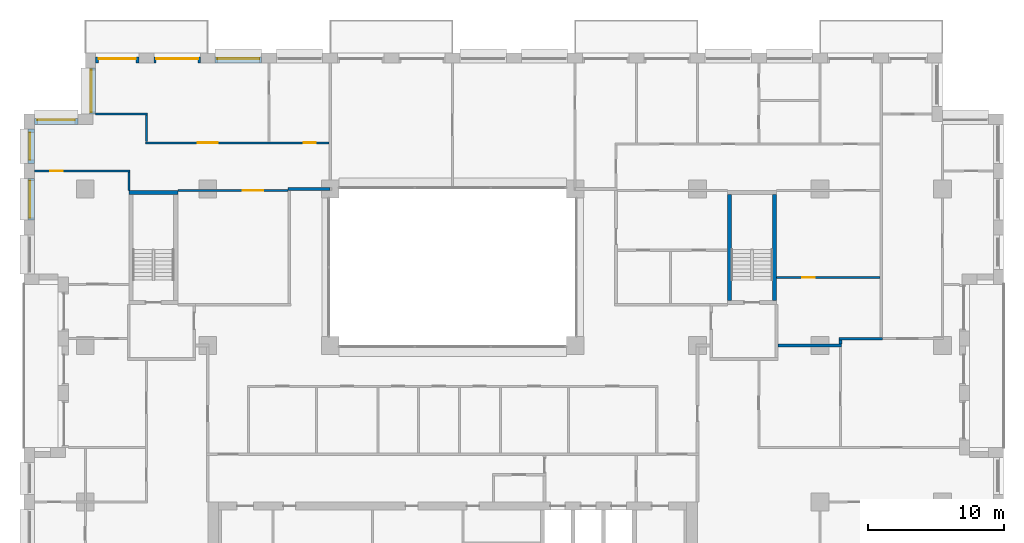
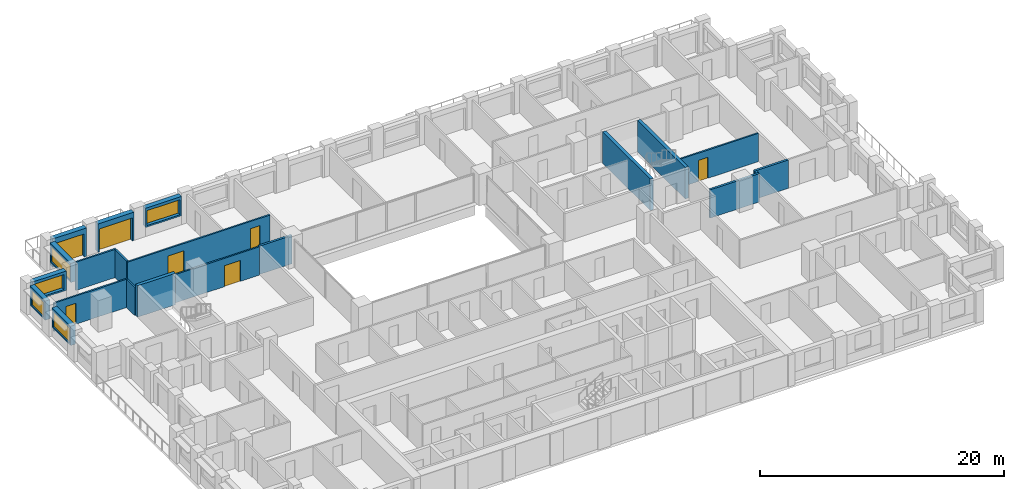
# One storey, part 12 of 16: 21 walls, 7 doors, 5 windows, 12 openings.
"""IFC4 building model written with IfcOpenShell, lengths in metres."""

from ifc_helpers import new_model, si_unit, direction, frame, frame_2d, origin, place, context, subcontext, project, spatial, rectangle, extrude, material, layer, layer_set, type_object, element, fill, save


model = new_model("IFC4")

# Units and contexts
model_context = context("Model", 3, precision=1e-05, world=origin(), true_north=direction((0.0, 1.0)))
body_context = subcontext(model_context, "Body", "Model", "MODEL_VIEW")
ifc_project = project(units=[si_unit("LENGTHUNIT", "METRE"), si_unit("AREAUNIT", "SQUARE_METRE"), si_unit("VOLUMEUNIT", "CUBIC_METRE"), si_unit("PLANEANGLEUNIT", "RADIAN"), si_unit("MASSUNIT", "GRAM", prefix="KILO")], contexts=[model_context])

# Site, building, storey
site_placement = place(None, origin())
site = spatial("IfcSite", under=ifc_project, at=site_placement, CompositionType="ELEMENT")
building_placement = place(site_placement, origin())
building = spatial("IfcBuilding", under=site, at=building_placement, Name="Brigalow Station Residences", CompositionType="ELEMENT")
storey_placement = place(building_placement, frame((0.0, 0.0, 102.449951171875)))
storey = spatial("IfcBuildingStorey", under=building, at=storey_placement, Name="L29", CompositionType="ELEMENT", Elevation=102.449951171875)

# Wall, opening, window
ifc_material_1 = material(Name="Clay brick masonry", Category="masonry")
ifc_layer_1 = layer(ifc_material_1, 0.449951171875)
ifc_layer_set_1 = layer_set([ifc_layer_1], Name="BRICK INFILL WALL 450")
wall_type_1 = type_object("IfcWallType", Name="BRICK INFILL WALL 450", PredefinedType="SOLIDWALL", material=ifc_layer_set_1)
wall_1_placement = place(storey_placement, frame((21.949951171875, 44.97509765625, 0.900146484375), z_axis=(0.0, 0.0, 1.0), x_axis=(-1.0, 0.0, 0.0)))
wall_1 = element("IfcWall", 1, at=wall_1_placement, inside=storey, type_object=wall_type_1, Name="L29/ewall/W-L29-34", PredefinedType="SOLIDWALL", context=body_context, shape_type="SweptSolid", body=[
    extrude(rectangle(XDim=3.39990234375, YDim=0.449951171875, at=frame_2d((1.699951171875, 0.0))), origin(), (0.0, 0.0, 1.0), 1.929931640625),
])
opening_1_placement = place(wall_1_placement, frame((0.14990234375, 0.0, 0.14990234375)))
opening_1 = element("IfcOpeningElement", 2, at=opening_1_placement, cuts=wall_1, Name="Opening WT-8", PredefinedType="OPENING", context=body_context, shape_type="SweptSolid", body=[
    extrude(rectangle(XDim=3.10009765625, YDim=1.5, at=frame_2d((1.550048828125, 0.75))), frame((0.0, 0.23486328125, 0.0), z_axis=(0.0, -1.0, 0.0), x_axis=(1.0, 0.0, 0.0)), (0.0, 0.0, 1.0), 0.469970703125),
])
ifc_material_2 = material(Name="Anodised aluminium frame with double glazing", Category="aluminium")
window_type_1 = type_object("IfcWindowType", Name="WINDOW 3100x1500", PartitioningType="SINGLE_PANEL", PredefinedType="WINDOW", material=ifc_material_2)
window_1_placement = place(opening_1_placement, origin())
window_1 = element("IfcWindow", 3, at=window_1_placement, inside=storey, type_object=window_type_1, Name="L29/window/W-L29-34", OverallHeight=1.5, OverallWidth=3.10009765625, PartitioningType="SINGLE_PANEL", PredefinedType="WINDOW", context=body_context, shape_type="SweptSolid", body=[
    extrude(rectangle(XDim=3.10009765625, YDim=1.5, at=frame_2d((1.550048828125, 0.75))), frame((0.0, -0.06494140625, 0.0), z_axis=(0.0, -1.0, 0.0), x_axis=(1.0, 0.0, 0.0)), (0.0, 0.0, 1.0), 0.06005859375),
])
fill(opening_1, window_1)

# Wall, opening, door
wall_2_placement = place(storey_placement, frame((17.449951171875, 44.97509765625, 0.0), z_axis=(0.0, 0.0, 1.0), x_axis=(-1.0, 0.0, 0.0)))
wall_2 = element("IfcWall", 4, at=wall_2_placement, inside=storey, type_object=wall_type_1, Name="L29/ewall/W-L29-35", PredefinedType="SOLIDWALL", context=body_context, shape_type="SweptSolid", body=[
    extrude(rectangle(XDim=3.39990234375, YDim=0.449951171875, at=frame_2d((1.699951171875, 0.0))), origin(), (0.0, 0.0, 1.0), 2.830078125),
])
opening_2_placement = place(wall_2_placement, frame((0.14990234375, 0.0, 0.0)))
opening_2 = element("IfcOpeningElement", 5, at=opening_2_placement, cuts=wall_2, Name="Opening D-B3100", PredefinedType="OPENING", context=body_context, shape_type="SweptSolid", body=[
    extrude(rectangle(XDim=3.10009765625, YDim=2.300048828125, at=frame_2d((1.550048828125, 1.14990234375))), frame((0.0, 0.23486328125, 0.0), z_axis=(0.0, -1.0, 0.0), x_axis=(1.0, 0.0, 0.0)), (0.0, 0.0, 1.0), 0.469970703125),
])
ifc_material_3 = material(Name="Anodised aluminium frame with double glazing", Category="aluminium")
door_type_1 = type_object("IfcDoorType", Name="BALCONY SLIDING DOOR 3100x2300", OperationType="SLIDING_TO_LEFT", PredefinedType="DOOR", material=ifc_material_3)
door_1_placement = place(opening_2_placement, origin())
door_1 = element("IfcDoor", 6, at=door_1_placement, inside=storey, type_object=door_type_1, Name="L29/balcony-door/W-L29-35", OperationType="SLIDING_TO_LEFT", OverallHeight=2.300048828125, OverallWidth=3.10009765625, PredefinedType="DOOR", context=body_context, shape_type="SweptSolid", body=[
    extrude(rectangle(XDim=3.10009765625, YDim=2.300048828125, at=frame_2d((1.550048828125, 1.14990234375))), frame((0.0, -0.06982421875, 0.0), z_axis=(0.0, -1.0, 0.0), x_axis=(1.0, 0.0, 0.0)), (0.0, 0.0, 1.0), 0.050048828125),
])
fill(opening_2, door_1)

wall_3_placement = place(storey_placement, frame((12.949951171875, 44.97509765625, 0.0), z_axis=(0.0, 0.0, 1.0), x_axis=(-1.0, 0.0, 0.0)))
wall_3 = element("IfcWall", 7, at=wall_3_placement, inside=storey, type_object=wall_type_1, Name="L29/ewall/W-L29-36", PredefinedType="SOLIDWALL", context=body_context, shape_type="SweptSolid", body=[
    extrude(rectangle(XDim=3.199951171875, YDim=0.449951171875, at=frame_2d((1.60009765625, 0.0))), origin(), (0.0, 0.0, 1.0), 2.830078125),
])
opening_3_placement = place(wall_3_placement, frame((0.22509765625, 0.0, 0.0)))
opening_3 = element("IfcOpeningElement", 8, at=opening_3_placement, cuts=wall_3, Name="Opening D-B2750", PredefinedType="OPENING", context=body_context, shape_type="SweptSolid", body=[
    extrude(rectangle(XDim=2.75, YDim=2.300048828125, at=frame_2d((1.375, 1.14990234375))), frame((0.0, 0.23486328125, 0.0), z_axis=(0.0, -1.0, 0.0), x_axis=(1.0, 0.0, 0.0)), (0.0, 0.0, 1.0), 0.469970703125),
])
ifc_material_4 = material(Name="Anodised aluminium frame with double glazing", Category="aluminium")
door_type_2 = type_object("IfcDoorType", Name="BALCONY SLIDING DOOR 2750x2300", OperationType="SLIDING_TO_LEFT", PredefinedType="DOOR", material=ifc_material_4)
door_2_placement = place(opening_3_placement, origin())
door_2 = element("IfcDoor", 9, at=door_2_placement, inside=storey, type_object=door_type_2, Name="L29/balcony-door/W-L29-36", OperationType="SLIDING_TO_LEFT", OverallHeight=2.300048828125, OverallWidth=2.75, PredefinedType="DOOR", context=body_context, shape_type="SweptSolid", body=[
    extrude(rectangle(XDim=2.75, YDim=2.300048828125, at=frame_2d((1.375, 1.14990234375))), frame((0.0, -0.06982421875, 0.0), z_axis=(0.0, -1.0, 0.0), x_axis=(1.0, 0.0, 0.0)), (0.0, 0.0, 1.0), 0.050048828125),
])
fill(opening_3, door_2)

# Wall, opening, window
wall_4_placement = place(storey_placement, frame((9.52490234375, 44.39990234375, 0.900146484375), z_axis=(0.0, 0.0, 1.0), x_axis=(0.0, -1.0, 0.0)))
wall_4 = element("IfcWall", 10, at=wall_4_placement, inside=storey, type_object=wall_type_1, Name="L29/ewall/W-L29-37", PredefinedType="SOLIDWALL", context=body_context, shape_type="SweptSolid", body=[
    extrude(rectangle(XDim=3.39990234375, YDim=0.449951171875, at=frame_2d((1.699951171875, 0.0))), origin(), (0.0, 0.0, 1.0), 1.929931640625),
])
opening_4_placement = place(wall_4_placement, frame((0.14990234375, 0.0, 0.14990234375)))
opening_4 = element("IfcOpeningElement", 11, at=opening_4_placement, cuts=wall_4, Name="Opening WT-8", PredefinedType="OPENING", context=body_context, shape_type="SweptSolid", body=[
    extrude(rectangle(XDim=3.10009765625, YDim=1.5, at=frame_2d((1.550048828125, 0.75))), frame((0.0, 0.23486328125, 0.0), z_axis=(0.0, -1.0, 0.0), x_axis=(1.0, 0.0, 0.0)), (0.0, 0.0, 1.0), 0.469970703125),
])
window_2_placement = place(opening_4_placement, origin())
window_2 = element("IfcWindow", 12, at=window_2_placement, inside=storey, type_object=window_type_1, Name="L29/window/W-L29-37", OverallHeight=1.5, OverallWidth=3.10009765625, PartitioningType="SINGLE_PANEL", PredefinedType="WINDOW", context=body_context, shape_type="SweptSolid", body=[
    extrude(rectangle(XDim=3.10009765625, YDim=1.5, at=frame_2d((1.550048828125, 0.75))), frame((0.0, -0.06494140625, 0.0), z_axis=(0.0, -1.0, 0.0), x_axis=(1.0, 0.0, 0.0)), (0.0, 0.0, 1.0), 0.06005859375),
])
fill(opening_4, window_2)

wall_5_placement = place(storey_placement, frame((8.449951171875, 40.47509765625, 0.900146484375), z_axis=(0.0, 0.0, 1.0), x_axis=(-1.0, 0.0, 0.0)))
wall_5 = element("IfcWall", 13, at=wall_5_placement, inside=storey, type_object=wall_type_1, Name="L29/ewall/W-L29-38", PredefinedType="SOLIDWALL", context=body_context, shape_type="SweptSolid", body=[
    extrude(rectangle(XDim=3.199951171875, YDim=0.449951171875, at=frame_2d((1.60009765625, 0.0))), origin(), (0.0, 0.0, 1.0), 1.929931640625),
])
opening_5_placement = place(wall_5_placement, frame((0.22509765625, 0.0, 0.14990234375)))
opening_5 = element("IfcOpeningElement", 14, at=opening_5_placement, cuts=wall_5, Name="Opening WT-3", PredefinedType="OPENING", context=body_context, shape_type="SweptSolid", body=[
    extrude(rectangle(XDim=2.75, YDim=1.5, at=frame_2d((1.375, 0.75))), frame((0.0, 0.23486328125, 0.0), z_axis=(0.0, -1.0, 0.0), x_axis=(1.0, 0.0, 0.0)), (0.0, 0.0, 1.0), 0.469970703125),
])
ifc_material_5 = material(Name="Anodised aluminium frame with double glazing", Category="aluminium")
window_type_2 = type_object("IfcWindowType", Name="WINDOW 2750x1500", PartitioningType="SINGLE_PANEL", PredefinedType="WINDOW", material=ifc_material_5)
window_3_placement = place(opening_5_placement, origin())
window_3 = element("IfcWindow", 15, at=window_3_placement, inside=storey, type_object=window_type_2, Name="L29/window/W-L29-38", OverallHeight=1.5, OverallWidth=2.75, PartitioningType="SINGLE_PANEL", PredefinedType="WINDOW", context=body_context, shape_type="SweptSolid", body=[
    extrude(rectangle(XDim=2.75, YDim=1.5, at=frame_2d((1.375, 0.75))), frame((0.0, -0.06494140625, 0.0), z_axis=(0.0, -1.0, 0.0), x_axis=(1.0, 0.0, 0.0)), (0.0, 0.0, 1.0), 0.06005859375),
])
fill(opening_5, window_3)

wall_6_placement = place(storey_placement, frame((5.02490234375, 39.89990234375, 0.900146484375), z_axis=(0.0, 0.0, 1.0), x_axis=(0.0, -1.0, 0.0)))
wall_6 = element("IfcWall", 16, at=wall_6_placement, inside=storey, type_object=wall_type_1, Name="L29/ewall/W-L29-39", PredefinedType="SOLIDWALL", context=body_context, shape_type="SweptSolid", body=[
    extrude(rectangle(XDim=2.516845703125, YDim=0.449951171875, at=frame_2d((1.25830078125, 0.0))), origin(), (0.0, 0.0, 1.0), 1.929931640625),
])
opening_6_placement = place(wall_6_placement, frame((0.258544921875, 0.0, 0.14990234375)))
opening_6 = element("IfcOpeningElement", 17, at=opening_6_placement, cuts=wall_6, Name="Opening WT-7", PredefinedType="OPENING", context=body_context, shape_type="SweptSolid", body=[
    extrude(rectangle(XDim=2.0, YDim=1.5, at=frame_2d((1.0, 0.75))), frame((0.0, 0.23486328125, 0.0), z_axis=(0.0, -1.0, 0.0), x_axis=(1.0, 0.0, 0.0)), (0.0, 0.0, 1.0), 0.469970703125),
])
ifc_material_6 = material(Name="Anodised aluminium frame with double glazing", Category="aluminium")
window_type_3 = type_object("IfcWindowType", Name="WINDOW 2000x1500", PartitioningType="SINGLE_PANEL", PredefinedType="WINDOW", material=ifc_material_6)
window_4_placement = place(opening_6_placement, origin())
window_4 = element("IfcWindow", 18, at=window_4_placement, inside=storey, type_object=window_type_3, Name="L29/window/W-L29-39", OverallHeight=1.5, OverallWidth=2.0, PartitioningType="SINGLE_PANEL", PredefinedType="WINDOW", context=body_context, shape_type="SweptSolid", body=[
    extrude(rectangle(XDim=2.0, YDim=1.5, at=frame_2d((1.0, 0.75))), frame((0.0, -0.06494140625, 0.0), z_axis=(0.0, -1.0, 0.0), x_axis=(1.0, 0.0, 0.0)), (0.0, 0.0, 1.0), 0.06005859375),
])
fill(opening_6, window_4)

wall_7_placement = place(storey_placement, frame((5.02490234375, 36.282958984375, 0.900146484375), z_axis=(0.0, 0.0, 1.0), x_axis=(0.0, -1.0, 0.0)))
wall_7 = element("IfcWall", 19, at=wall_7_placement, inside=storey, type_object=wall_type_1, Name="L29/ewall/W-L29-40", PredefinedType="SOLIDWALL", context=body_context, shape_type="SweptSolid", body=[
    extrude(rectangle(XDim=3.06591796875, YDim=0.449951171875, at=frame_2d((1.532958984375, 0.0))), origin(), (0.0, 0.0, 1.0), 1.929931640625),
])
opening_7_placement = place(wall_7_placement, frame((0.157958984375, 0.0, 0.14990234375)))
opening_7 = element("IfcOpeningElement", 20, at=opening_7_placement, cuts=wall_7, Name="Opening WT-3", PredefinedType="OPENING", context=body_context, shape_type="SweptSolid", body=[
    extrude(rectangle(XDim=2.75, YDim=1.5, at=frame_2d((1.375, 0.75))), frame((0.0, 0.23486328125, 0.0), z_axis=(0.0, -1.0, 0.0), x_axis=(1.0, 0.0, 0.0)), (0.0, 0.0, 1.0), 0.469970703125),
])
window_5_placement = place(opening_7_placement, origin())
window_5 = element("IfcWindow", 21, at=window_5_placement, inside=storey, type_object=window_type_2, Name="L29/window/W-L29-40", OverallHeight=1.5, OverallWidth=2.75, PartitioningType="SINGLE_PANEL", PredefinedType="WINDOW", context=body_context, shape_type="SweptSolid", body=[
    extrude(rectangle(XDim=2.75, YDim=1.5, at=frame_2d((1.375, 0.75))), frame((0.0, -0.06494140625, 0.0), z_axis=(0.0, -1.0, 0.0), x_axis=(1.0, 0.0, 0.0)), (0.0, 0.0, 1.0), 0.06005859375),
])
fill(opening_7, window_5)

# Walls
ifc_material_7 = material(Name="Concrete C65", Category="concrete")
ifc_layer_2 = layer(ifc_material_7, 0.300048828125)
ifc_layer_set_2 = layer_set([ifc_layer_2], Name="CORE SHEAR WALL 300 C65")
wall_type_2 = type_object("IfcWallType", Name="CORE SHEAR WALL 300 C65", PredefinedType="SHEAR", material=ifc_layer_set_2)
wall_8_placement = place(storey_placement, frame((12.199951171875, 35.25, 0.0), z_axis=(0.0, 0.0, 1.0), x_axis=(1.0, 0.0, 0.0)))
element("IfcWall", 22, at=wall_8_placement, inside=storey, type_object=wall_type_2, Name="CORE WALL ST-S1-N L29", PredefinedType="SHEAR", context=body_context, shape_type="SweptSolid", body=[
    extrude(rectangle(XDim=3.60009765625, YDim=0.300048828125, at=frame_2d((1.800048828125, 0.0))), origin(), (0.0, 0.0, 1.0), 3.150146484375),
])
for number, where, z_axis, x_axis, name in (
    (23, (56.35009765625, 27.300048828125, 0.0), (0.0, 0.0, 1.0), (0.0, 1.0, 0.0), "CORE WALL ST-S3-W L29"),
    (24, (59.64990234375, 27.300048828125, 0.0), (0.0, 0.0, 1.0), (0.0, 1.0, 0.0), "CORE WALL ST-S3-E L29"),
):
    element("IfcWall", number, at=place(storey_placement, frame(where, z_axis=z_axis, x_axis=x_axis)), inside=storey, type_object=wall_type_2, Name=name, PredefinedType="SHEAR", context=body_context, shape_type="SweptSolid", body=[
        extrude(rectangle(XDim=7.800048828125, YDim=0.300048828125, at=frame_2d((3.89990234375, 0.0))), origin(), (0.0, 0.0, 1.0), 3.150146484375),
    ])

# Wall, opening, door
ifc_material_8 = material(Name="Plasterboard on steel stud partition", Category="steel")
ifc_layer_3 = layer(ifc_material_8, 0.14990234375)
ifc_layer_set_3 = layer_set([ifc_layer_3], Name="FLAT PARTITION 150")
wall_type_3 = type_object("IfcWallType", Name="FLAT PARTITION 150", PredefinedType="PARTITIONING", material=ifc_layer_set_3)
wall_9_placement = place(storey_placement, frame((5.25, 36.8330078125, 0.0), z_axis=(0.0, 0.0, 1.0), x_axis=(1.0, 0.0, 0.0)))
wall_9 = element("IfcWall", 25, at=wall_9_placement, inside=storey, type_object=wall_type_3, Name="PW-2C22", PredefinedType="PARTITIONING", context=body_context, shape_type="SweptSolid", body=[
    extrude(rectangle(XDim=7.02490234375, YDim=0.14990234375, at=frame_2d((3.512451171875, 0.0))), origin(), (0.0, 0.0, 1.0), 2.830078125),
])
opening_8_placement = place(wall_9_placement, frame((1.175048828125, 0.0, 0.0)))
opening_8 = element("IfcOpeningElement", 26, at=opening_8_placement, cuts=wall_9, Name="Opening D-2C12", PredefinedType="OPENING", context=body_context, shape_type="SweptSolid", body=[
    extrude(rectangle(XDim=0.89990234375, YDim=2.10009765625, at=frame_2d((0.449951171875, 1.050048828125))), frame((0.0, 0.0849609375, 0.0), z_axis=(0.0, -1.0, 0.0), x_axis=(1.0, 0.0, 0.0)), (0.0, 0.0, 1.0), 0.169921875),
])
ifc_material_9 = material(Name="Solid-core timber door leaf", Category="wood")
door_type_3 = type_object("IfcDoorType", Name="INTERNAL DOOR 900 x 2100", OperationType="SINGLE_SWING_LEFT", PredefinedType="DOOR", material=ifc_material_9)
door_3_placement = place(opening_8_placement, frame((0.89990234375, 0.0, 0.0), z_axis=(0.0, 0.0, 1.0), x_axis=(-1.0, 0.0, 0.0)))
door_3 = element("IfcDoor", 27, at=door_3_placement, inside=storey, type_object=door_type_3, Name="D-2C12", OperationType="SINGLE_SWING_RIGHT", OverallHeight=2.10009765625, OverallWidth=0.89990234375, PredefinedType="DOOR", context=body_context, shape_type="SweptSolid", body=[
    extrude(rectangle(XDim=0.89990234375, YDim=2.10009765625, at=frame_2d((0.449951171875, 1.050048828125))), frame((0.0, 0.02490234375, 0.0), z_axis=(0.0, -1.0, 0.0), x_axis=(1.0, 0.0, 0.0)), (0.0, 0.0, 1.0), 0.050048828125),
])
fill(opening_8, door_3)

# Wall, openings, doors
wall_10_placement = place(storey_placement, frame((13.425048828125, 38.89990234375, 0.0), z_axis=(0.0, 0.0, 1.0), x_axis=(1.0, 0.0, 0.0)))
wall_10 = element("IfcWall", 28, at=wall_10_placement, inside=storey, type_object=wall_type_3, Name="PW-2C24", PredefinedType="PARTITIONING", context=body_context, shape_type="SweptSolid", body=[
    extrude(rectangle(XDim=13.474853515625, YDim=0.14990234375, at=frame_2d((6.7373046875, 0.0))), origin(), (0.0, 0.0, 1.0), 2.830078125),
])
opening_9_placement = place(wall_10_placement, frame((3.824951171875, 0.0, 0.0)))
opening_9 = element("IfcOpeningElement", 29, at=opening_9_placement, cuts=wall_10, Name="Opening D-2C13", PredefinedType="OPENING", context=body_context, shape_type="SweptSolid", body=[
    extrude(rectangle(XDim=1.5, YDim=2.10009765625, at=frame_2d((0.75, 1.050048828125))), frame((0.0, 0.0849609375, 0.0), z_axis=(0.0, -1.0, 0.0), x_axis=(1.0, 0.0, 0.0)), (0.0, 0.0, 1.0), 0.169921875),
])
opening_10_placement = place(wall_10_placement, frame((11.625, 0.0, 0.0)))
opening_10 = element("IfcOpeningElement", 30, at=opening_10_placement, cuts=wall_10, Name="Opening D-2C15", PredefinedType="OPENING", context=body_context, shape_type="SweptSolid", body=[
    extrude(rectangle(XDim=0.89990234375, YDim=2.10009765625, at=frame_2d((0.449951171875, 1.050048828125))), frame((0.0, 0.0849609375, 0.0), z_axis=(0.0, -1.0, 0.0), x_axis=(1.0, 0.0, 0.0)), (0.0, 0.0, 1.0), 0.169921875),
])
door_4_placement = place(opening_10_placement, origin())
door_4 = element("IfcDoor", 31, at=door_4_placement, inside=storey, type_object=door_type_3, Name="D-2C15", OperationType="SINGLE_SWING_RIGHT", OverallHeight=2.10009765625, OverallWidth=0.89990234375, PredefinedType="DOOR", context=body_context, shape_type="SweptSolid", body=[
    extrude(rectangle(XDim=0.89990234375, YDim=2.10009765625, at=frame_2d((0.449951171875, 1.050048828125))), frame((0.0, 0.02490234375, 0.0), z_axis=(0.0, -1.0, 0.0), x_axis=(1.0, 0.0, 0.0)), (0.0, 0.0, 1.0), 0.050048828125),
])
fill(opening_10, door_4)
ifc_material_10 = material(Name="Solid-core timber door leaf", Category="wood")
door_type_4 = type_object("IfcDoorType", Name="INTERNAL DOUBLE DOOR 1500 x 2100", OperationType="DOUBLE_DOOR_SINGLE_SWING", PredefinedType="DOOR", material=ifc_material_10)
door_5_placement = place(opening_9_placement, origin())
door_5 = element("IfcDoor", 32, at=door_5_placement, inside=storey, type_object=door_type_4, Name="D-2C13", OperationType="DOUBLE_DOOR_SINGLE_SWING", OverallHeight=2.10009765625, OverallWidth=1.5, PredefinedType="DOOR", context=body_context, shape_type="SweptSolid", body=[
    extrude(rectangle(XDim=1.5, YDim=2.10009765625, at=frame_2d((0.75, 1.050048828125))), frame((0.0, 0.02490234375, 0.0), z_axis=(0.0, -1.0, 0.0), x_axis=(1.0, 0.0, 0.0)), (0.0, 0.0, 1.0), 0.050048828125),
])
fill(opening_9, door_5)

# Wall, opening, door
wall_11_placement = place(storey_placement, frame((15.800048828125, 35.39990234375, 0.0), z_axis=(0.0, 0.0, 1.0), x_axis=(1.0, 0.0, 0.0)))
wall_11 = element("IfcWall", 33, at=wall_11_placement, inside=storey, type_object=wall_type_3, Name="PW-2C25", PredefinedType="PARTITIONING", context=body_context, shape_type="SweptSolid", body=[
    extrude(rectangle(XDim=8.099853515625, YDim=0.14990234375, at=frame_2d((4.0498046875, 0.0))), origin(), (0.0, 0.0, 1.0), 2.830078125),
])
opening_11_placement = place(wall_11_placement, frame((4.77490234375, 0.0, 0.0)))
opening_11 = element("IfcOpeningElement", 34, at=opening_11_placement, cuts=wall_11, Name="Opening D-2C16", PredefinedType="OPENING", context=body_context, shape_type="SweptSolid", body=[
    extrude(rectangle(XDim=1.5, YDim=2.10009765625, at=frame_2d((0.75, 1.050048828125))), frame((0.0, 0.0849609375, 0.0), z_axis=(0.0, -1.0, 0.0), x_axis=(1.0, 0.0, 0.0)), (0.0, 0.0, 1.0), 0.169921875),
])
door_6_placement = place(opening_11_placement, frame((1.5, 0.0, 0.0), z_axis=(0.0, 0.0, 1.0), x_axis=(-1.0, 0.0, 0.0)))
door_6 = element("IfcDoor", 35, at=door_6_placement, inside=storey, type_object=door_type_4, Name="D-2C16", OperationType="DOUBLE_DOOR_SINGLE_SWING", OverallHeight=2.10009765625, OverallWidth=1.5, PredefinedType="DOOR", context=body_context, shape_type="SweptSolid", body=[
    extrude(rectangle(XDim=1.5, YDim=2.10009765625, at=frame_2d((0.75, 1.050048828125))), frame((0.0, 0.02490234375, 0.0), z_axis=(0.0, -1.0, 0.0), x_axis=(1.0, 0.0, 0.0)), (0.0, 0.0, 1.0), 0.050048828125),
])
fill(opening_11, door_6)

# Wall
wall_12_placement = place(storey_placement, frame((9.75, 41.0, 0.0), z_axis=(0.0, 0.0, 1.0), x_axis=(1.0, 0.0, 0.0)))
element("IfcWall", 36, at=wall_12_placement, inside=storey, type_object=wall_type_3, Name="PW-2C28", PredefinedType="PARTITIONING", context=body_context, shape_type="SweptSolid", body=[
    extrude(rectangle(XDim=3.824951171875, YDim=0.14990234375, at=frame_2d((1.91259765625, 0.0))), origin(), (0.0, 0.0, 1.0), 2.830078125),
])

# Wall, opening, door
wall_13_placement = place(storey_placement, frame((59.800048828125, 29.0, 0.0), z_axis=(0.0, 0.0, 1.0), x_axis=(1.0, 0.0, 0.0)))
wall_13 = element("IfcWall", 37, at=wall_13_placement, inside=storey, type_object=wall_type_3, Name="PW-2C33", PredefinedType="PARTITIONING", context=body_context, shape_type="SweptSolid", body=[
    extrude(rectangle(XDim=7.599853515625, YDim=0.14990234375, at=frame_2d((3.7998046875, 0.0))), origin(), (0.0, 0.0, 1.0), 2.830078125),
])
opening_12_placement = place(wall_13_placement, frame((1.89990234375, 0.0, 0.0)))
opening_12 = element("IfcOpeningElement", 38, at=opening_12_placement, cuts=wall_13, Name="Opening D-2C30", PredefinedType="OPENING", context=body_context, shape_type="SweptSolid", body=[
    extrude(rectangle(XDim=0.89990234375, YDim=2.10009765625, at=frame_2d((0.449951171875, 1.050048828125))), frame((0.0, 0.0849609375, 0.0), z_axis=(0.0, -1.0, 0.0), x_axis=(1.0, 0.0, 0.0)), (0.0, 0.0, 1.0), 0.169921875),
])
door_7_placement = place(opening_12_placement, frame((0.89990234375, 0.0, 0.0), z_axis=(0.0, 0.0, 1.0), x_axis=(-1.0, 0.0, 0.0)))
door_7 = element("IfcDoor", 39, at=door_7_placement, inside=storey, type_object=door_type_3, Name="D-2C30", OperationType="SINGLE_SWING_RIGHT", OverallHeight=2.10009765625, OverallWidth=0.89990234375, PredefinedType="DOOR", context=body_context, shape_type="SweptSolid", body=[
    extrude(rectangle(XDim=0.89990234375, YDim=2.10009765625, at=frame_2d((0.449951171875, 1.050048828125))), frame((0.0, 0.02490234375, 0.0), z_axis=(0.0, -1.0, 0.0), x_axis=(1.0, 0.0, 0.0)), (0.0, 0.0, 1.0), 0.050048828125),
])
fill(opening_12, door_7)

# Walls
wall_14_placement = place(storey_placement, frame((13.5, 38.97509765625, 0.0), z_axis=(0.0, 0.0, 1.0), x_axis=(0.0, 1.0, 0.0)))
element("IfcWall", 40, at=wall_14_placement, inside=storey, type_object=wall_type_3, Name="PW-2C48", PredefinedType="PARTITIONING", context=body_context, shape_type="SweptSolid", body=[
    extrude(rectangle(XDim=1.949951171875, YDim=0.14990234375, at=frame_2d((0.97509765625, 0.0))), origin(), (0.0, 0.0, 1.0), 2.830078125),
])
wall_15_placement = place(storey_placement, frame((12.199951171875, 35.39990234375, 0.0), z_axis=(0.0, 0.0, 1.0), x_axis=(0.0, 1.0, 0.0)))
element("IfcWall", 41, at=wall_15_placement, inside=storey, type_object=wall_type_3, Name="PW-2C49", PredefinedType="PARTITIONING", context=body_context, shape_type="SweptSolid", body=[
    extrude(rectangle(XDim=1.358154296875, YDim=0.14990234375, at=frame_2d((0.67919921875, 0.0))), origin(), (0.0, 0.0, 1.0), 2.830078125),
])
ifc_material_11 = material(Name="Plasterboard on steel stud partition", Category="steel")
ifc_layer_4 = layer(ifc_material_11, 0.199951171875)
ifc_layer_set_4 = layer_set([ifc_layer_4], Name="PARTY AND CORRIDOR WALL 200")
wall_type_4 = type_object("IfcWallType", Name="PARTY AND CORRIDOR WALL 200", PredefinedType="PARTITIONING", material=ifc_layer_set_4)
wall_16_placement = place(storey_placement, frame((59.89990234375, 24.0, 0.0), z_axis=(0.0, 0.0, 1.0), x_axis=(1.0, 0.0, 0.0)))
element("IfcWall", 42, at=wall_16_placement, inside=storey, type_object=wall_type_4, Name="PW-2C04", PredefinedType="PARTITIONING", context=body_context, shape_type="SweptSolid", body=[
    extrude(rectangle(XDim=4.675048828125, YDim=0.199951171875, at=frame_2d((2.33740234375, 0.0))), origin(), (0.0, 0.0, 1.0), 2.830078125),
])
wall_17_placement = place(storey_placement, frame((23.89990234375, 35.5, 0.0), z_axis=(0.0, 0.0, 1.0), x_axis=(1.0, 0.0, 0.0)))
element("IfcWall", 43, at=wall_17_placement, inside=storey, type_object=wall_type_4, Name="PW-2C07", PredefinedType="PARTITIONING", context=body_context, shape_type="SweptSolid", body=[
    extrude(rectangle(XDim=3.10009765625, YDim=0.199951171875, at=frame_2d((1.550048828125, 0.0))), origin(), (0.0, 0.0, 1.0), 2.830078125),
])
wall_18_placement = place(storey_placement, frame((64.39990234375, 24.5, 0.0), z_axis=(0.0, 0.0, 1.0), x_axis=(1.0, 0.0, 0.0)))
element("IfcWall", 44, at=wall_18_placement, inside=storey, type_object=wall_type_4, Name="PW-2C19", PredefinedType="PARTITIONING", context=body_context, shape_type="SweptSolid", body=[
    extrude(rectangle(XDim=3.2001953125, YDim=0.199951171875, at=frame_2d((1.60009765625, 0.0))), origin(), (0.0, 0.0, 1.0), 2.830078125),
])
wall_19_placement = place(storey_placement, frame((64.5, 24.10009765625, 0.0), z_axis=(0.0, 0.0, 1.0), x_axis=(0.0, 1.0, 0.0)))
element("IfcWall", 45, at=wall_19_placement, inside=storey, type_object=wall_type_4, Name="PW-2C64", PredefinedType="PARTITIONING", context=body_context, shape_type="SweptSolid", body=[
    extrude(rectangle(XDim=0.2998046875, YDim=0.199951171875, at=frame_2d((0.14990234375, 0.0))), origin(), (0.0, 0.0, 1.0), 2.830078125),
])

save(model, "model.ifc")
